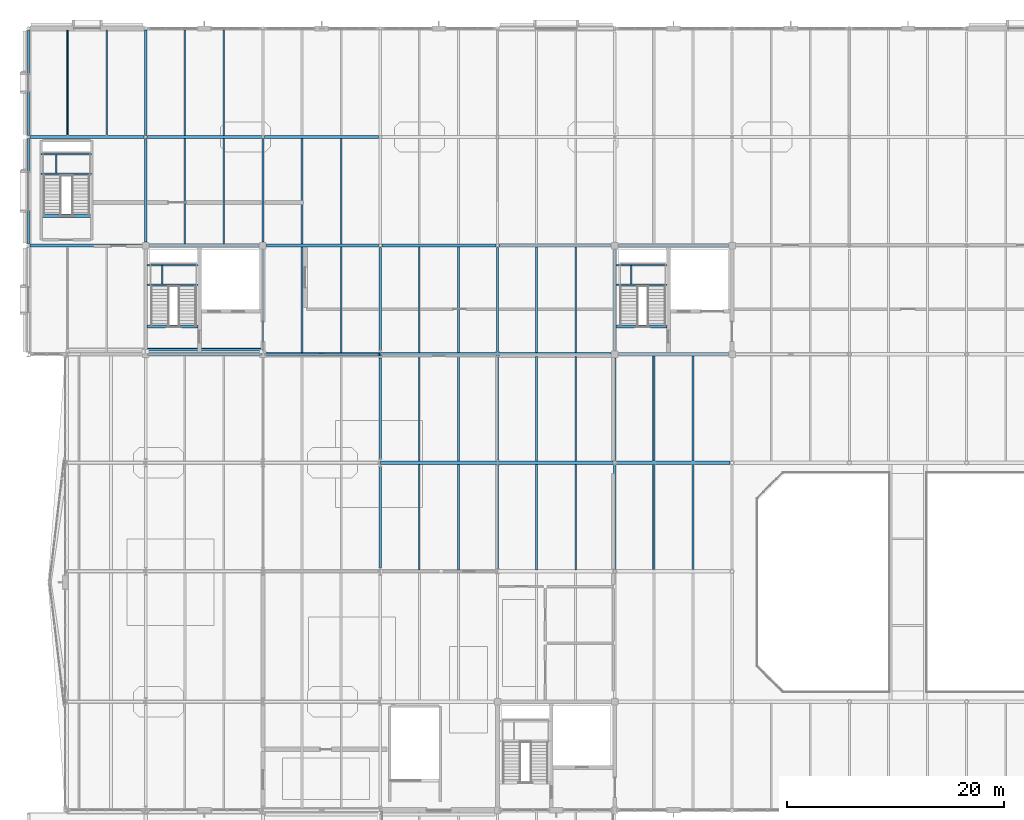
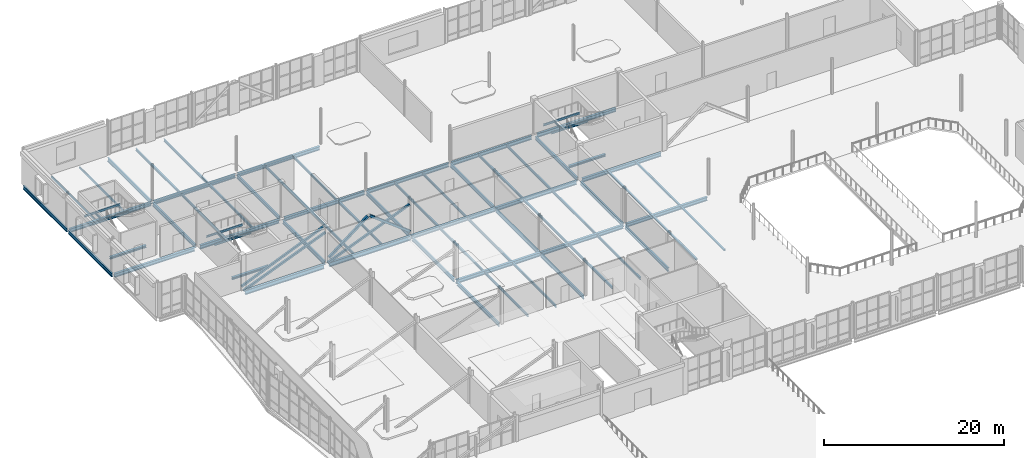
# One storey, part 42 of 100: 70 beams, 5 members.
"""IFC4 building model written with IfcOpenShell, lengths in metres."""

from ifc_helpers import new_model, si_unit, direction, frame, origin, origin_2d, place, context, subcontext, project, spatial, hollow_rectangle, i_section, extrude, material, material_profile, profile_set, type_object, element, save


model = new_model("IFC4")

# Units and contexts
model_context = context("Model", 3, precision=1e-05, world=origin(), true_north=direction((0.0, 1.0)))
body_context = subcontext(model_context, "Body", "Model", "MODEL_VIEW")
ifc_project = project(units=[si_unit("LENGTHUNIT", "METRE"), si_unit("AREAUNIT", "SQUARE_METRE"), si_unit("VOLUMEUNIT", "CUBIC_METRE"), si_unit("PLANEANGLEUNIT", "RADIAN"), si_unit("MASSUNIT", "GRAM", prefix="KILO")], contexts=[model_context])

# Site, building, storey
site_placement = place(None, origin())
site = spatial("IfcSite", under=ifc_project, at=site_placement, CompositionType="ELEMENT")
building_placement = place(site_placement, origin())
building = spatial("IfcBuilding", under=site, at=building_placement, Name="Tasgan Crest Museum", CompositionType="ELEMENT")
storey_placement = place(building_placement, frame((0.0, 0.0, 9.60009765625)))
storey = spatial("IfcBuildingStorey", under=building, at=storey_placement, Name="L02", CompositionType="ELEMENT", Elevation=9.60009765625)

# Beams
ifc_material_1 = material(Name="Steel S355K2", Category="steel")
ifc_material_profile_1 = material_profile(ifc_material_1, i_section(OverallWidth=0.300048828125, OverallDepth=0.60009765625, WebThickness=0.015380859375, FlangeThickness=0.030029296875, FilletRadius=0.027099609375, at=origin_2d()), Name="HEB 600")
ifc_profile_set_1 = profile_set([ifc_material_profile_1], Name="Steel S355K2")
beam_type_1 = type_object("IfcBeamType", Name="BM-CANT-G1", PredefinedType="BEAM", material=ifc_profile_set_1)
beam_1_placement = place(storey_placement, frame((11.14599609375, 82.0, -0.56005859375), z_axis=(1.0, 0.0, 0.0), x_axis=(0.0, 1.0, 0.0)))
element("IfcBeam", 1, at=beam_1_placement, inside=storey, type_object=beam_type_1, Name="Transfer back-span girder 1 BOT J", PredefinedType="BEAM", context=body_context, shape_type="SweptSolid", body=[
    extrude(i_section(OverallWidth=0.300048828125, OverallDepth=0.60009765625, WebThickness=0.015380859375, FlangeThickness=0.030029296875, FilletRadius=0.027099609375, at=origin_2d()), origin(), (0.0, 0.0, 1.0), 10.10791015625),
])
beam_2_placement = place(storey_placement, frame((21.946044921875, 82.0, -0.56005859375), z_axis=(1.0, 0.0, 0.0), x_axis=(0.0, 1.0, 0.0)))
element("IfcBeam", 2, at=beam_2_placement, inside=storey, type_object=beam_type_1, Name="Transfer back-span girder 2 BOT J", PredefinedType="BEAM", context=body_context, shape_type="SweptSolid", body=[
    extrude(i_section(OverallWidth=0.300048828125, OverallDepth=0.60009765625, WebThickness=0.015380859375, FlangeThickness=0.030029296875, FilletRadius=0.027099609375, at=origin_2d()), origin(), (0.0, 0.0, 1.0), 10.447509765625),
])
ifc_material_2 = material(Name="Steel S355J2", Category="steel")
ifc_material_profile_2 = material_profile(ifc_material_2, i_section(OverallWidth=0.300048828125, OverallDepth=0.489990234375, WebThickness=0.011962890625, FlangeThickness=0.02294921875, FilletRadius=0.027099609375, at=origin_2d()), Name="HEA 500")
ifc_profile_set_2 = profile_set([ifc_material_profile_2], Name="Steel S355J2")
beam_type_2 = type_object("IfcBeamType", Name="BM-G-HEA500", PredefinedType="BEAM", material=ifc_profile_set_2)
beam_3_placement = place(storey_placement, frame((32.406494140625, 72.0, -0.505126953125), z_axis=(1.0, 0.0, 0.0), x_axis=(0.0, 1.0, 0.0)))
element("IfcBeam", 3, at=beam_3_placement, inside=storey, type_object=beam_type_2, Name="Girder L02 H 32.4-43.2", PredefinedType="BEAM", context=body_context, shape_type="SweptSolid", body=[
    extrude(i_section(OverallWidth=0.300048828125, OverallDepth=0.489990234375, WebThickness=0.011962890625, FlangeThickness=0.02294921875, FilletRadius=0.027099609375, at=origin_2d()), origin(), (0.0, 0.0, 1.0), 10.788330078125),
])
beam_4_placement = place(storey_placement, frame((43.205322265625, 72.0, -0.505126953125), z_axis=(1.0, 0.0, 0.0), x_axis=(0.0, 1.0, 0.0)))
element("IfcBeam", 4, at=beam_4_placement, inside=storey, type_object=beam_type_2, Name="Girder L02 H 43.2-54.0", PredefinedType="BEAM", context=body_context, shape_type="SweptSolid", body=[
    extrude(i_section(OverallWidth=0.300048828125, OverallDepth=0.489990234375, WebThickness=0.011962890625, FlangeThickness=0.02294921875, FilletRadius=0.027099609375, at=origin_2d()), origin(), (0.0, 0.0, 1.0), 10.620849609375),
])
beam_5_placement = place(storey_placement, frame((54.173828125, 72.0, -0.485107421875), z_axis=(1.0, 0.0, 0.0), x_axis=(0.0, 1.0, 0.0)))
element("IfcBeam", 5, at=beam_5_placement, inside=storey, type_object=beam_type_2, Name="Girder L02 H 54.0-64.8", PredefinedType="BEAM", context=body_context, shape_type="SweptSolid", body=[
    extrude(i_section(OverallWidth=0.300048828125, OverallDepth=0.489990234375, WebThickness=0.011962890625, FlangeThickness=0.02294921875, FilletRadius=0.027099609375, at=origin_2d()), origin(), (0.0, 0.0, 1.0), 10.452392578125),
])
beam_6_placement = place(storey_placement, frame((0.157958984375, 92.0, -0.485107421875), z_axis=(1.0, 0.0, 0.0), x_axis=(0.0, 1.0, 0.0)))
element("IfcBeam", 6, at=beam_6_placement, inside=storey, type_object=beam_type_2, Name="Girder L02 K 0.0-10.8", PredefinedType="BEAM", context=body_context, shape_type="SweptSolid", body=[
    extrude(i_section(OverallWidth=0.300048828125, OverallDepth=0.489990234375, WebThickness=0.011962890625, FlangeThickness=0.02294921875, FilletRadius=0.027099609375, at=origin_2d()), origin(), (0.0, 0.0, 1.0), 10.296142578125),
])
beam_7_placement = place(storey_placement, frame((11.14599609375, 92.0, -0.485107421875), z_axis=(1.0, 0.0, 0.0), x_axis=(0.0, 1.0, 0.0)))
element("IfcBeam", 7, at=beam_7_placement, inside=storey, type_object=beam_type_2, Name="Girder L02 K 10.8-21.6", PredefinedType="BEAM", context=body_context, shape_type="SweptSolid", body=[
    extrude(i_section(OverallWidth=0.300048828125, OverallDepth=0.489990234375, WebThickness=0.011962890625, FlangeThickness=0.02294921875, FilletRadius=0.027099609375, at=origin_2d()), origin(), (0.0, 0.0, 1.0), 10.10791015625),
])
beam_8_placement = place(storey_placement, frame((21.946044921875, 92.0, -0.485107421875), z_axis=(1.0, 0.0, 0.0), x_axis=(0.0, 1.0, 0.0)))
element("IfcBeam", 8, at=beam_8_placement, inside=storey, type_object=beam_type_2, Name="Girder L02 K 21.6-32.4", PredefinedType="BEAM", context=body_context, shape_type="SweptSolid", body=[
    extrude(i_section(OverallWidth=0.300048828125, OverallDepth=0.489990234375, WebThickness=0.011962890625, FlangeThickness=0.02294921875, FilletRadius=0.027099609375, at=origin_2d()), origin(), (0.0, 0.0, 1.0), 10.2958984375),
])
beam_9_placement = place(storey_placement, frame((32.557861328125, 92.0, -0.485107421875), z_axis=(1.0, 0.0, 0.0), x_axis=(0.0, 1.0, 0.0)))
element("IfcBeam", 9, at=beam_9_placement, inside=storey, type_object=beam_type_2, Name="Girder L02 K 32.4-43.2", PredefinedType="BEAM", context=body_context, shape_type="SweptSolid", body=[
    extrude(i_section(OverallWidth=0.300048828125, OverallDepth=0.489990234375, WebThickness=0.011962890625, FlangeThickness=0.02294921875, FilletRadius=0.027099609375, at=origin_2d()), origin(), (0.0, 0.0, 1.0), 10.484130859375),
])
beam_10_placement = place(storey_placement, frame((43.35791015625, 92.0, -0.485107421875), z_axis=(1.0, 0.0, 0.0), x_axis=(0.0, 1.0, 0.0)))
element("IfcBeam", 10, at=beam_10_placement, inside=storey, type_object=beam_type_2, Name="Girder L02 K 43.2-54.0", PredefinedType="BEAM", context=body_context, shape_type="SweptSolid", body=[
    extrude(i_section(OverallWidth=0.300048828125, OverallDepth=0.489990234375, WebThickness=0.011962890625, FlangeThickness=0.02294921875, FilletRadius=0.027099609375, at=origin_2d()), origin(), (0.0, 0.0, 1.0), 10.296142578125),
])
beam_11_placement = place(storey_placement, frame((54.345947265625, 92.0, -0.485107421875), z_axis=(1.0, 0.0, 0.0), x_axis=(0.0, 1.0, 0.0)))
element("IfcBeam", 11, at=beam_11_placement, inside=storey, type_object=beam_type_2, Name="Girder L02 K 54.0-64.8", PredefinedType="BEAM", context=body_context, shape_type="SweptSolid", body=[
    extrude(i_section(OverallWidth=0.300048828125, OverallDepth=0.489990234375, WebThickness=0.011962890625, FlangeThickness=0.02294921875, FilletRadius=0.027099609375, at=origin_2d()), origin(), (0.0, 0.0, 1.0), 10.108154296875),
])
for number, where, z_axis, x_axis, name in (
    (12, (0.157958984375, 102.0, -0.485107421875), (1.0, 0.0, 0.0), (0.0, 1.0, 0.0), "Girder L02 L 0.0-10.8"),
    (13, (10.9580078125, 102.0, -0.485107421875), (1.0, 0.0, 0.0), (0.0, 1.0, 0.0), "Girder L02 L 10.8-21.6"),
):
    element("IfcBeam", number, at=place(storey_placement, frame(where, z_axis=z_axis, x_axis=x_axis)), inside=storey, type_object=beam_type_2, Name=name, PredefinedType="BEAM", context=body_context, shape_type="SweptSolid", body=[
        extrude(i_section(OverallWidth=0.300048828125, OverallDepth=0.489990234375, WebThickness=0.011962890625, FlangeThickness=0.02294921875, FilletRadius=0.027099609375, at=origin_2d()), origin(), (0.0, 0.0, 1.0), 10.484130859375),
    ])
beam_12_placement = place(storey_placement, frame((21.758056640625, 102.0, -0.485107421875), z_axis=(1.0, 0.0, 0.0), x_axis=(0.0, 1.0, 0.0)))
element("IfcBeam", 14, at=beam_12_placement, inside=storey, type_object=beam_type_2, Name="Girder L02 L 21.6-32.4", PredefinedType="BEAM", context=body_context, shape_type="SweptSolid", body=[
    extrude(i_section(OverallWidth=0.300048828125, OverallDepth=0.489990234375, WebThickness=0.011962890625, FlangeThickness=0.02294921875, FilletRadius=0.027099609375, at=origin_2d()), origin(), (0.0, 0.0, 1.0), 10.48388671875),
])
ifc_material_3 = material(Name="Steel S355J2", Category="steel")
ifc_material_profile_3 = material_profile(ifc_material_3, i_section(OverallWidth=0.300048828125, OverallDepth=0.300048828125, WebThickness=0.010986328125, FlangeThickness=0.01904296875, FilletRadius=0.027099609375, at=origin_2d()), Name="HEB 300")
ifc_profile_set_3 = profile_set([ifc_material_profile_3], Name="Steel S355J2")
beam_type_3 = type_object("IfcBeamType", Name="BM-G-HEB300", PredefinedType="BEAM", material=ifc_profile_set_3)
for number, where, z_axis, x_axis, name in (
    (15, (10.929931640625, 84.550048828125, -0.150146484375), (1.0, 0.0, 0.0), (0.0, 1.0, 0.0), "Stair threshold trimmer beam ST-NW-L02"),
    (16, (54.1298828125, 84.550048828125, -0.150146484375), (1.0, 0.0, 0.0), (0.0, 1.0, 0.0), "Stair threshold trimmer beam ST-NC-L02"),
):
    element("IfcBeam", number, at=place(storey_placement, frame(where, z_axis=z_axis, x_axis=x_axis)), inside=storey, type_object=beam_type_3, Name=name, PredefinedType="BEAM", context=body_context, shape_type="SweptSolid", body=[
        extrude(i_section(OverallWidth=0.300048828125, OverallDepth=0.300048828125, WebThickness=0.010986328125, FlangeThickness=0.01904296875, FilletRadius=0.027099609375, at=origin_2d()), origin(), (0.0, 0.0, 1.0), 4.690185546875),
    ])
beam_13_placement = place(storey_placement, frame((1.179931640625, 94.75, -0.150146484375), z_axis=(1.0, 0.0, 0.0), x_axis=(0.0, 1.0, 0.0)))
element("IfcBeam", 17, at=beam_13_placement, inside=storey, type_object=beam_type_3, Name="Stair threshold trimmer beam ST-GW-L02", PredefinedType="BEAM", context=body_context, shape_type="SweptSolid", body=[
    extrude(i_section(OverallWidth=0.300048828125, OverallDepth=0.300048828125, WebThickness=0.010986328125, FlangeThickness=0.01904296875, FilletRadius=0.027099609375, at=origin_2d()), origin(), (0.0, 0.0, 1.0), 4.64013671875),
])
ifc_material_4 = material(Name="Steel S355J2", Category="steel")
ifc_material_profile_4 = material_profile(ifc_material_4, i_section(OverallWidth=0.300048828125, OverallDepth=0.5, WebThickness=0.014404296875, FlangeThickness=0.028076171875, FilletRadius=0.027099609375, at=origin_2d()), Name="HEB 500")
ifc_profile_set_4 = profile_set([ifc_material_profile_4], Name="Steel S355J2")
beam_type_4 = type_object("IfcBeamType", Name="BM-G-HEB500", PredefinedType="BEAM", material=ifc_profile_set_4)
beam_14_placement = place(storey_placement, frame((32.406494140625, 82.0, -0.510009765625), z_axis=(1.0, 0.0, 0.0), x_axis=(0.0, 1.0, 0.0)))
element("IfcBeam", 18, at=beam_14_placement, inside=storey, type_object=beam_type_4, Name="Girder L02 J 32.4-43.2", PredefinedType="BEAM", context=body_context, shape_type="SweptSolid", body=[
    extrude(i_section(OverallWidth=0.300048828125, OverallDepth=0.5, WebThickness=0.014404296875, FlangeThickness=0.028076171875, FilletRadius=0.027099609375, at=origin_2d()), origin(), (0.0, 0.0, 1.0), 10.788330078125),
])
beam_15_placement = place(storey_placement, frame((43.205322265625, 82.0, -0.510009765625), z_axis=(1.0, 0.0, 0.0), x_axis=(0.0, 1.0, 0.0)))
element("IfcBeam", 19, at=beam_15_placement, inside=storey, type_object=beam_type_4, Name="Girder L02 J 43.2-54.0", PredefinedType="BEAM", context=body_context, shape_type="SweptSolid", body=[
    extrude(i_section(OverallWidth=0.300048828125, OverallDepth=0.5, WebThickness=0.014404296875, FlangeThickness=0.028076171875, FilletRadius=0.027099609375, at=origin_2d()), origin(), (0.0, 0.0, 1.0), 10.44873046875),
])
beam_16_placement = place(storey_placement, frame((54.345947265625, 82.0, -0.489990234375), z_axis=(1.0, 0.0, 0.0), x_axis=(0.0, 1.0, 0.0)))
element("IfcBeam", 20, at=beam_16_placement, inside=storey, type_object=beam_type_4, Name="Girder L02 J 54.0-64.8", PredefinedType="BEAM", context=body_context, shape_type="SweptSolid", body=[
    extrude(i_section(OverallWidth=0.300048828125, OverallDepth=0.5, WebThickness=0.014404296875, FlangeThickness=0.028076171875, FilletRadius=0.027099609375, at=origin_2d()), origin(), (0.0, 0.0, 1.0), 10.108154296875),
])
ifc_material_5 = material(Name="Steel S355J2", Category="steel")
ifc_material_profile_5 = material_profile(ifc_material_5, i_section(OverallWidth=0.199951171875, OverallDepth=0.5, WebThickness=0.01025390625, FlangeThickness=0.01611328125, FilletRadius=0.02099609375, at=origin_2d()), Name="IPE 500")
ifc_profile_set_5 = profile_set([ifc_material_profile_5], Name="Steel S355J2")
beam_type_5 = type_object("IfcBeamType", Name="BM-G-IPE500", PredefinedType="BEAM", material=ifc_profile_set_5)
for number, where, z_axis, x_axis, name in (
    (21, (0.0, 92.156982421875, -0.489990234375), (0.0, 1.0, 0.0), (-1.0, 0.0, 0.0), "Beam L02 1 92.0-102.0"),
    (22, (0.0, 102.156982421875, -0.489990234375), (0.0, 1.0, 0.0), (-1.0, 0.0, 0.0), "Beam L02 1 102.0-112.0"),
):
    element("IfcBeam", number, at=place(storey_placement, frame(where, z_axis=z_axis, x_axis=x_axis)), inside=storey, type_object=beam_type_5, Name=name, PredefinedType="BEAM", context=body_context, shape_type="SweptSolid", body=[
        extrude(i_section(OverallWidth=0.199951171875, OverallDepth=0.5, WebThickness=0.01025390625, FlangeThickness=0.01611328125, FilletRadius=0.02099609375, at=origin_2d()), origin(), (0.0, 0.0, 1.0), 9.68603515625),
    ])
beam_17_placement = place(storey_placement, frame((10.800048828125, 92.344970703125, -0.489990234375), z_axis=(0.0, 1.0, 0.0), x_axis=(-1.0, 0.0, 0.0)))
element("IfcBeam", 23, at=beam_17_placement, inside=storey, type_object=beam_type_5, Name="Beam L02 2 92.0-102.0", PredefinedType="BEAM", context=body_context, shape_type="SweptSolid", body=[
    extrude(i_section(OverallWidth=0.199951171875, OverallDepth=0.5, WebThickness=0.01025390625, FlangeThickness=0.01611328125, FilletRadius=0.02099609375, at=origin_2d()), origin(), (0.0, 0.0, 1.0), 9.498046875),
])
beam_18_placement = place(storey_placement, frame((10.800048828125, 102.156982421875, -0.489990234375), z_axis=(0.0, 1.0, 0.0), x_axis=(-1.0, 0.0, 0.0)))
element("IfcBeam", 24, at=beam_18_placement, inside=storey, type_object=beam_type_5, Name="Beam L02 2 102.0-112.0", PredefinedType="BEAM", context=body_context, shape_type="SweptSolid", body=[
    extrude(i_section(OverallWidth=0.199951171875, OverallDepth=0.5, WebThickness=0.01025390625, FlangeThickness=0.01611328125, FilletRadius=0.02099609375, at=origin_2d()), origin(), (0.0, 0.0, 1.0), 9.68603515625),
])
beam_19_placement = place(storey_placement, frame((21.60009765625, 82.344970703125, -0.489990234375), z_axis=(0.0, 1.0, 0.0), x_axis=(-1.0, 0.0, 0.0)))
element("IfcBeam", 25, at=beam_19_placement, inside=storey, type_object=beam_type_5, Name="Beam L02 3 82.0-92.0", PredefinedType="BEAM", context=body_context, shape_type="SweptSolid", body=[
    extrude(i_section(OverallWidth=0.199951171875, OverallDepth=0.5, WebThickness=0.01025390625, FlangeThickness=0.01611328125, FilletRadius=0.02099609375, at=origin_2d()), origin(), (0.0, 0.0, 1.0), 9.31005859375),
])
beam_20_placement = place(storey_placement, frame((21.60009765625, 92.344970703125, -0.489990234375), z_axis=(0.0, 1.0, 0.0), x_axis=(-1.0, 0.0, 0.0)))
element("IfcBeam", 26, at=beam_20_placement, inside=storey, type_object=beam_type_5, Name="Beam L02 3 92.0-102.0", PredefinedType="BEAM", context=body_context, shape_type="SweptSolid", body=[
    extrude(i_section(OverallWidth=0.199951171875, OverallDepth=0.5, WebThickness=0.01025390625, FlangeThickness=0.01611328125, FilletRadius=0.02099609375, at=origin_2d()), origin(), (0.0, 0.0, 1.0), 9.498046875),
])
for number, where, z_axis, x_axis, name in (
    (27, (32.39990234375, 62.344970703125, -0.510009765625), (0.0, 1.0, 0.0), (-1.0, 0.0, 0.0), "Beam L02 4 62.0-72.0"),
    (28, (32.39990234375, 72.344970703125, -0.510009765625), (0.0, 1.0, 0.0), (-1.0, 0.0, 0.0), "Beam L02 4 72.0-82.0"),
):
    element("IfcBeam", number, at=place(storey_placement, frame(where, z_axis=z_axis, x_axis=x_axis)), inside=storey, type_object=beam_type_5, Name=name, PredefinedType="BEAM", context=body_context, shape_type="SweptSolid", body=[
        extrude(i_section(OverallWidth=0.199951171875, OverallDepth=0.5, WebThickness=0.01025390625, FlangeThickness=0.01611328125, FilletRadius=0.02099609375, at=origin_2d()), origin(), (0.0, 0.0, 1.0), 9.31005859375),
    ])
beam_21_placement = place(storey_placement, frame((32.39990234375, 82.344970703125, -0.489990234375), z_axis=(0.0, 1.0, 0.0), x_axis=(-1.0, 0.0, 0.0)))
element("IfcBeam", 29, at=beam_21_placement, inside=storey, type_object=beam_type_5, Name="Beam L02 4 82.0-92.0", PredefinedType="BEAM", context=body_context, shape_type="SweptSolid", body=[
    extrude(i_section(OverallWidth=0.199951171875, OverallDepth=0.5, WebThickness=0.01025390625, FlangeThickness=0.01611328125, FilletRadius=0.02099609375, at=origin_2d()), origin(), (0.0, 0.0, 1.0), 9.498046875),
])
for number, where, z_axis, x_axis, name in (
    (30, (43.199951171875, 62.2451171875, -0.510009765625), (0.0, 1.0, 0.0), (-1.0, 0.0, 0.0), "Beam L02 5 62.0-72.0"),
    (31, (43.199951171875, 72.2451171875, -0.510009765625), (0.0, 1.0, 0.0), (-1.0, 0.0, 0.0), "Beam L02 5 72.0-82.0"),
):
    element("IfcBeam", number, at=place(storey_placement, frame(where, z_axis=z_axis, x_axis=x_axis)), inside=storey, type_object=beam_type_5, Name=name, PredefinedType="BEAM", context=body_context, shape_type="SweptSolid", body=[
        extrude(i_section(OverallWidth=0.199951171875, OverallDepth=0.5, WebThickness=0.01025390625, FlangeThickness=0.01611328125, FilletRadius=0.02099609375, at=origin_2d()), origin(), (0.0, 0.0, 1.0), 9.509765625),
    ])
beam_22_placement = place(storey_placement, frame((43.199951171875, 82.2451171875, -0.489990234375), z_axis=(0.0, 1.0, 0.0), x_axis=(-1.0, 0.0, 0.0)))
element("IfcBeam", 32, at=beam_22_placement, inside=storey, type_object=beam_type_5, Name="Beam L02 5 82.0-92.0", PredefinedType="BEAM", context=body_context, shape_type="SweptSolid", body=[
    extrude(i_section(OverallWidth=0.199951171875, OverallDepth=0.5, WebThickness=0.01025390625, FlangeThickness=0.01611328125, FilletRadius=0.02099609375, at=origin_2d()), origin(), (0.0, 0.0, 1.0), 9.597900390625),
])
beam_23_placement = place(storey_placement, frame((54.0, 62.1728515625, -0.510009765625), z_axis=(0.0, 1.0, 0.0), x_axis=(-1.0, 0.0, 0.0)))
element("IfcBeam", 33, at=beam_23_placement, inside=storey, type_object=beam_type_5, Name="Beam L02 6 62.0-72.0", PredefinedType="BEAM", context=body_context, shape_type="SweptSolid", body=[
    extrude(i_section(OverallWidth=0.199951171875, OverallDepth=0.5, WebThickness=0.01025390625, FlangeThickness=0.01611328125, FilletRadius=0.02099609375, at=origin_2d()), origin(), (0.0, 0.0, 1.0), 9.654296875),
])
beam_24_placement = place(storey_placement, frame((54.0, 72.1728515625, -0.510009765625), z_axis=(0.0, 1.0, 0.0), x_axis=(-1.0, 0.0, 0.0)))
element("IfcBeam", 34, at=beam_24_placement, inside=storey, type_object=beam_type_5, Name="Beam L02 6 72.0-82.0", PredefinedType="BEAM", context=body_context, shape_type="SweptSolid", body=[
    extrude(i_section(OverallWidth=0.199951171875, OverallDepth=0.5, WebThickness=0.01025390625, FlangeThickness=0.01611328125, FilletRadius=0.02099609375, at=origin_2d()), origin(), (0.0, 0.0, 1.0), 9.482177734375),
])
beam_25_placement = place(storey_placement, frame((54.0, 82.344970703125, -0.489990234375), z_axis=(0.0, 1.0, 0.0), x_axis=(-1.0, 0.0, 0.0)))
element("IfcBeam", 35, at=beam_25_placement, inside=storey, type_object=beam_type_5, Name="Beam L02 6 82.0-92.0", PredefinedType="BEAM", context=body_context, shape_type="SweptSolid", body=[
    extrude(i_section(OverallWidth=0.199951171875, OverallDepth=0.5, WebThickness=0.01025390625, FlangeThickness=0.01611328125, FilletRadius=0.02099609375, at=origin_2d()), origin(), (0.0, 0.0, 1.0), 9.31005859375),
])
ifc_material_6 = material(Name="Steel S355J2", Category="steel")
ifc_material_profile_6 = material_profile(ifc_material_6, i_section(OverallWidth=0.159912109375, OverallDepth=0.330078125, WebThickness=0.007568359375, FlangeThickness=0.011474609375, FilletRadius=0.01806640625, at=origin_2d()), Name="IPE 330")
ifc_profile_set_6 = profile_set([ifc_material_profile_6], Name="Steel S355J2")
beam_type_6 = type_object("IfcBeamType", Name="BM-J-IPE330", PredefinedType="JOIST", material=ifc_profile_set_6)
for number, where, z_axis, x_axis, name in (
    (36, (14.39990234375, 92.14501953125, -0.405029296875), (0.0, 1.0, 0.0), (-1.0, 0.0, 0.0), "Secondary joist L02 X=14.4 Y=92.0-102.0"),
    (37, (18.0, 92.14501953125, -0.405029296875), (0.0, 1.0, 0.0), (-1.0, 0.0, 0.0), "Secondary joist L02 X=18.0 Y=92.0-102.0"),
    (38, (14.39990234375, 102.14501953125, -0.405029296875), (0.0, 1.0, 0.0), (-1.0, 0.0, 0.0), "Secondary joist L02 X=14.4 Y=102.0-112.0"),
    (39, (18.0, 102.14501953125, -0.405029296875), (0.0, 1.0, 0.0), (-1.0, 0.0, 0.0), "Secondary joist L02 X=18.0 Y=102.0-112.0"),
    (40, (25.199951171875, 82.14501953125, -0.405029296875), (0.0, 1.0, 0.0), (-1.0, 0.0, 0.0), "Secondary joist L02 X=25.2 Y=82.0-92.0"),
    (41, (28.800048828125, 82.14501953125, -0.405029296875), (0.0, 1.0, 0.0), (-1.0, 0.0, 0.0), "Secondary joist L02 X=28.8 Y=82.0-92.0"),
    (42, (25.199951171875, 92.14501953125, -0.405029296875), (0.0, 1.0, 0.0), (-1.0, 0.0, 0.0), "Secondary joist L02 X=25.2 Y=92.0-102.0"),
    (43, (28.800048828125, 92.14501953125, -0.405029296875), (0.0, 1.0, 0.0), (-1.0, 0.0, 0.0), "Secondary joist L02 X=28.8 Y=92.0-102.0"),
    (44, (36.0, 62.14501953125, -0.425048828125), (0.0, 1.0, 0.0), (-1.0, 0.0, 0.0), "Secondary joist L02 X=36.0 Y=62.0-72.0"),
    (45, (39.60009765625, 62.14501953125, -0.425048828125), (0.0, 1.0, 0.0), (-1.0, 0.0, 0.0), "Secondary joist L02 X=39.6 Y=62.0-72.0"),
    (46, (36.0, 72.14501953125, -0.425048828125), (0.0, 1.0, 0.0), (-1.0, 0.0, 0.0), "Secondary joist L02 X=36.0 Y=72.0-82.0"),
    (47, (39.60009765625, 72.14501953125, -0.425048828125), (0.0, 1.0, 0.0), (-1.0, 0.0, 0.0), "Secondary joist L02 X=39.6 Y=72.0-82.0"),
    (48, (36.0, 82.14501953125, -0.405029296875), (0.0, 1.0, 0.0), (-1.0, 0.0, 0.0), "Secondary joist L02 X=36.0 Y=82.0-92.0"),
    (49, (39.60009765625, 82.14501953125, -0.405029296875), (0.0, 1.0, 0.0), (-1.0, 0.0, 0.0), "Secondary joist L02 X=39.6 Y=82.0-92.0"),
    (50, (46.800048828125, 62.14501953125, -0.425048828125), (0.0, 1.0, 0.0), (-1.0, 0.0, 0.0), "Secondary joist L02 X=46.8 Y=62.0-72.0"),
    (51, (50.39990234375, 62.14501953125, -0.425048828125), (0.0, 1.0, 0.0), (-1.0, 0.0, 0.0), "Secondary joist L02 X=50.4 Y=62.0-72.0"),
    (52, (46.800048828125, 72.14501953125, -0.425048828125), (0.0, 1.0, 0.0), (-1.0, 0.0, 0.0), "Secondary joist L02 X=46.8 Y=72.0-82.0"),
    (53, (50.39990234375, 72.14501953125, -0.425048828125), (0.0, 1.0, 0.0), (-1.0, 0.0, 0.0), "Secondary joist L02 X=50.4 Y=72.0-82.0"),
    (54, (46.800048828125, 82.14501953125, -0.405029296875), (0.0, 1.0, 0.0), (-1.0, 0.0, 0.0), "Secondary joist L02 X=46.8 Y=82.0-92.0"),
    (55, (50.39990234375, 82.14501953125, -0.405029296875), (0.0, 1.0, 0.0), (-1.0, 0.0, 0.0), "Secondary joist L02 X=50.4 Y=82.0-92.0"),
):
    element("IfcBeam", number, at=place(storey_placement, frame(where, z_axis=z_axis, x_axis=x_axis)), inside=storey, type_object=beam_type_6, Name=name, PredefinedType="JOIST", context=body_context, shape_type="SweptSolid", body=[
        extrude(i_section(OverallWidth=0.159912109375, OverallDepth=0.330078125, WebThickness=0.007568359375, FlangeThickness=0.011474609375, FilletRadius=0.01806640625, at=origin_2d()), origin(), (0.0, 0.0, 1.0), 9.7099609375),
    ])
ifc_material_7 = material(Name="Steel S355J2", Category="steel")
ifc_material_profile_7 = material_profile(ifc_material_7, hollow_rectangle(XDim=0.14990234375, YDim=0.25, WallThickness=0.010009765625, InnerFilletRadius=0.010009765625, OuterFilletRadius=0.02001953125, at=origin_2d()), Name="RHS 250x150x10")
ifc_profile_set_7 = profile_set([ifc_material_profile_7], Name="Steel S355J2")
beam_type_7 = type_object("IfcBeamType", Name="BM-J-RHS250", PredefinedType="JOIST", material=ifc_profile_set_7)
for number, where, z_axis, x_axis, name in (
    (56, (3.60009765625, 102.14501953125, -0.364990234375), (0.0, 1.0, 0.0), (-1.0, 0.0, 0.0), "Secondary joist L02 X=3.6 Y=102.0-112.0"),
    (57, (7.199951171875, 102.14501953125, -0.364990234375), (0.0, 1.0, 0.0), (-1.0, 0.0, 0.0), "Secondary joist L02 X=7.2 Y=102.0-112.0"),
):
    element("IfcBeam", number, at=place(storey_placement, frame(where, z_axis=z_axis, x_axis=x_axis)), inside=storey, type_object=beam_type_7, Name=name, PredefinedType="JOIST", context=body_context, shape_type="SweptSolid", body=[
        extrude(hollow_rectangle(XDim=0.14990234375, YDim=0.25, WallThickness=0.010009765625, InnerFilletRadius=0.010009765625, OuterFilletRadius=0.02001953125, at=origin_2d()), origin(), (0.0, 0.0, 1.0), 9.7099609375),
    ])
ifc_material_8 = material(Name="Steel S355J2", Category="steel")
ifc_material_profile_8 = material_profile(ifc_material_8, hollow_rectangle(XDim=0.219970703125, YDim=0.219970703125, WallThickness=0.012451171875, InnerFilletRadius=0.012451171875, OuterFilletRadius=0.02490234375, at=origin_2d()), Name="SHS 220x220x12.5")
ifc_profile_set_8 = profile_set([ifc_material_profile_8], Name="Steel S355J2")
beam_type_8 = type_object("IfcBeamType", Name="BM-J-SHS220", PredefinedType="JOIST", material=ifc_profile_set_8)
for number, where, z_axis, x_axis, name in (
    (58, (57.60009765625, 62.14501953125, -0.35009765625), (0.0, 1.0, 0.0), (-1.0, 0.0, 0.0), "Secondary joist L02 X=57.6 Y=62.0-72.0"),
    (59, (61.199951171875, 62.14501953125, -0.35009765625), (0.0, 1.0, 0.0), (-1.0, 0.0, 0.0), "Secondary joist L02 X=61.2 Y=62.0-72.0"),
    (60, (57.60009765625, 72.14501953125, -0.35009765625), (0.0, 1.0, 0.0), (-1.0, 0.0, 0.0), "Secondary joist L02 X=57.6 Y=72.0-82.0"),
    (61, (61.199951171875, 72.14501953125, -0.35009765625), (0.0, 1.0, 0.0), (-1.0, 0.0, 0.0), "Secondary joist L02 X=61.2 Y=72.0-82.0"),
):
    element("IfcBeam", number, at=place(storey_placement, frame(where, z_axis=z_axis, x_axis=x_axis)), inside=storey, type_object=beam_type_8, Name=name, PredefinedType="JOIST", context=body_context, shape_type="SweptSolid", body=[
        extrude(hollow_rectangle(XDim=0.219970703125, YDim=0.219970703125, WallThickness=0.012451171875, InnerFilletRadius=0.012451171875, OuterFilletRadius=0.02490234375, at=origin_2d()), origin(), (0.0, 0.0, 1.0), 9.7099609375),
    ])
ifc_material_9 = material(Name="Steel S355J2", Category="steel")
ifc_material_profile_9 = material_profile(ifc_material_9, i_section(OverallWidth=0.1201171875, OverallDepth=0.239990234375, WebThickness=0.006103515625, FlangeThickness=0.009765625, FilletRadius=0.014892578125, at=origin_2d()), Name="IPE 240")
ifc_profile_set_9 = profile_set([ifc_material_profile_9], Name="Steel S355J2")
beam_type_9 = type_object("IfcBeamType", Name="BM-LAND-IPE240", PredefinedType="BEAM", material=ifc_profile_set_9)
for number, where, z_axis, x_axis, name in (
    (62, (12.324951171875, 88.465087890625, 2.079833984375), (0.0, 1.0, 0.0), (-1.0, 0.0, 0.0), "Stair half-landing crossbeam ST-NW-L02 T1"),
    (63, (55.52490234375, 88.465087890625, 2.079833984375), (0.0, 1.0, 0.0), (-1.0, 0.0, 0.0), "Stair half-landing crossbeam ST-NC-L02 T1"),
    (64, (2.550048828125, 98.6650390625, 2.079833984375), (0.0, 1.0, 0.0), (-1.0, 0.0, 0.0), "Stair half-landing crossbeam ST-GW-L02 T1"),
):
    element("IfcBeam", number, at=place(storey_placement, frame(where, z_axis=z_axis, x_axis=x_axis)), inside=storey, type_object=beam_type_9, Name=name, PredefinedType="BEAM", context=body_context, shape_type="SweptSolid", body=[
        extrude(i_section(OverallWidth=0.1201171875, OverallDepth=0.239990234375, WebThickness=0.006103515625, FlangeThickness=0.009765625, FilletRadius=0.014892578125, at=origin_2d()), origin(), (0.0, 0.0, 1.0), 1.679931640625),
    ])
ifc_material_10 = material(Name="Steel S355J2", Category="steel")
ifc_material_profile_10 = material_profile(ifc_material_10, i_section(OverallWidth=0.135009765625, OverallDepth=0.27001953125, WebThickness=0.006591796875, FlangeThickness=0.01025390625, FilletRadius=0.014892578125, at=origin_2d()), Name="IPE 270")
ifc_profile_set_10 = profile_set([ifc_material_profile_10], Name="Steel S355J2")
beam_type_10 = type_object("IfcBeamType", Name="BM-LAND-IPE270", PredefinedType="BEAM", material=ifc_profile_set_10)
for number, where, z_axis, x_axis, name in (
    (65, (10.929931640625, 88.405029296875, 2.06494140625), (1.0, 0.0, 0.0), (0.0, 1.0, 0.0), "Stair half-landing beam ST-NW-L02 T1F"),
    (66, (10.929931640625, 90.205078125, 2.06494140625), (1.0, 0.0, 0.0), (0.0, 1.0, 0.0), "Stair half-landing beam ST-NW-L02 T1B"),
    (67, (54.1298828125, 88.405029296875, 2.06494140625), (1.0, 0.0, 0.0), (0.0, 1.0, 0.0), "Stair half-landing beam ST-NC-L02 T1F"),
    (68, (54.1298828125, 90.205078125, 2.06494140625), (1.0, 0.0, 0.0), (0.0, 1.0, 0.0), "Stair half-landing beam ST-NC-L02 T1B"),
):
    element("IfcBeam", number, at=place(storey_placement, frame(where, z_axis=z_axis, x_axis=x_axis)), inside=storey, type_object=beam_type_10, Name=name, PredefinedType="BEAM", context=body_context, shape_type="SweptSolid", body=[
        extrude(i_section(OverallWidth=0.135009765625, OverallDepth=0.27001953125, WebThickness=0.006591796875, FlangeThickness=0.01025390625, FilletRadius=0.014892578125, at=origin_2d()), origin(), (0.0, 0.0, 1.0), 4.690185546875),
    ])
for number, where, z_axis, x_axis, name in (
    (69, (1.179931640625, 98.60498046875, 2.06494140625), (1.0, 0.0, 0.0), (0.0, 1.0, 0.0), "Stair half-landing beam ST-GW-L02 T1F"),
    (70, (1.179931640625, 100.405029296875, 2.06494140625), (1.0, 0.0, 0.0), (0.0, 1.0, 0.0), "Stair half-landing beam ST-GW-L02 T1B"),
):
    element("IfcBeam", number, at=place(storey_placement, frame(where, z_axis=z_axis, x_axis=x_axis)), inside=storey, type_object=beam_type_10, Name=name, PredefinedType="BEAM", context=body_context, shape_type="SweptSolid", body=[
        extrude(i_section(OverallWidth=0.135009765625, OverallDepth=0.27001953125, WebThickness=0.006591796875, FlangeThickness=0.01025390625, FilletRadius=0.014892578125, at=origin_2d()), origin(), (0.0, 0.0, 1.0), 4.64013671875),
    ])

# Members
ifc_material_11 = material(Name="Steel S355K2", Category="steel")
ifc_material_profile_11 = material_profile(ifc_material_11, hollow_rectangle(XDim=0.300048828125, YDim=0.300048828125, WallThickness=0.01611328125, InnerFilletRadius=0.01611328125, OuterFilletRadius=0.031982421875, at=origin_2d()), Name="SHS 300x300x16")
ifc_profile_set_11 = profile_set([ifc_material_profile_11], Name="Steel S355K2")
member_type_1 = type_object("IfcMemberType", Name="MEM-BR-SHS300", PredefinedType="BRACE", material=ifc_profile_set_11)
member_1_placement = place(storey_placement, frame((21.89990234375, 82.0, 0.349853515625), z_axis=(0.78729237904, 0.0, 0.616579848767), x_axis=(0.0, 1.0, 0.0)))
element("IfcMember", 71, at=member_1_placement, inside=storey, type_object=member_type_1, Name="Chevron brace L L02 J 21.6", PredefinedType="BRACE", context=body_context, shape_type="SweptSolid", body=[
    extrude(hollow_rectangle(XDim=0.300048828125, YDim=0.300048828125, WallThickness=0.01611328125, InnerFilletRadius=0.01611328125, OuterFilletRadius=0.031982421875, at=origin_2d()), origin(), (0.0, 0.0, 1.0), 6.325439453125),
])
member_2_placement = place(storey_placement, frame((32.25, 82.0, 0.349853515625), z_axis=(-0.796054864328, 0.0, 0.605224464955), x_axis=(0.0, -1.0, 0.0)))
element("IfcMember", 72, at=member_2_placement, inside=storey, type_object=member_type_1, Name="Chevron brace R L02 J 32.4", PredefinedType="BRACE", context=body_context, shape_type="SweptSolid", body=[
    extrude(hollow_rectangle(XDim=0.300048828125, YDim=0.300048828125, WallThickness=0.01611328125, InnerFilletRadius=0.01611328125, OuterFilletRadius=0.031982421875, at=origin_2d()), origin(), (0.0, 0.0, 1.0), 6.444091796875),
])
ifc_material_12 = material(Name="Steel S355K2", Category="steel")
ifc_material_profile_12 = material_profile(ifc_material_12, hollow_rectangle(XDim=0.260009765625, YDim=0.260009765625, WallThickness=0.01416015625, InnerFilletRadius=0.01416015625, OuterFilletRadius=0.0283203125, at=origin_2d()), Name="SHS 260x260x14.2")
ifc_profile_set_12 = profile_set([ifc_material_profile_12], Name="Steel S355K2")
member_type_2 = type_object("IfcMemberType", Name="TR-CANT-DIAG", PredefinedType="BRACE", material=ifc_profile_set_12)
for number, where, z_axis, x_axis, name in (
    (73, (10.949951171875, 82.0, -0.280029296875), (0.927253929438, 0.0, 0.374433105296), (0.0, 1.0, 0.0), "Transfer truss diagonal L02 J-2"),
    (74, (21.75, 82.0, -0.280029296875), (0.927253929438, 0.0, 0.374433105296), (0.0, 1.0, 0.0), "Transfer truss diagonal L02 J-3"),
):
    element("IfcMember", number, at=place(storey_placement, frame(where, z_axis=z_axis, x_axis=x_axis)), inside=storey, type_object=member_type_2, Name=name, PredefinedType="BRACE", context=body_context, shape_type="SweptSolid", body=[
        extrude(hollow_rectangle(XDim=0.260009765625, YDim=0.260009765625, WallThickness=0.01416015625, InnerFilletRadius=0.01416015625, OuterFilletRadius=0.0283203125, at=origin_2d()), origin(), (0.0, 0.0, 1.0), 11.32373046875),
    ])
member_3_placement = place(storey_placement, frame((10.949951171875, 82.419921875, 0.0498046875), z_axis=(0.922290816038, 0.0, 0.38649663731), x_axis=(0.0, 1.0, 0.0)))
element("IfcMember", 75, at=member_3_placement, inside=storey, type_object=member_type_2, Name="Exposed transfer truss diagonal N2", PredefinedType="BRACE", context=body_context, shape_type="SweptSolid", body=[
    extrude(hollow_rectangle(XDim=0.260009765625, YDim=0.260009765625, WallThickness=0.01416015625, InnerFilletRadius=0.01416015625, OuterFilletRadius=0.0283203125, at=origin_2d()), origin(), (0.0, 0.0, 1.0), 11.384765625),
])

save(model, "model.ifc")
